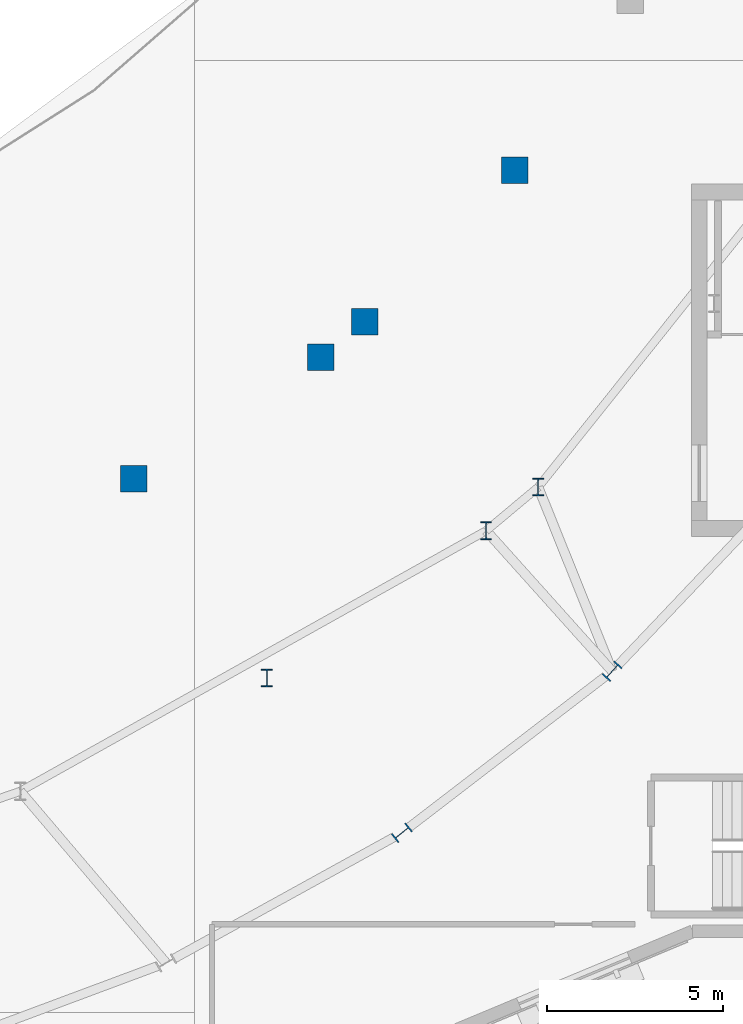
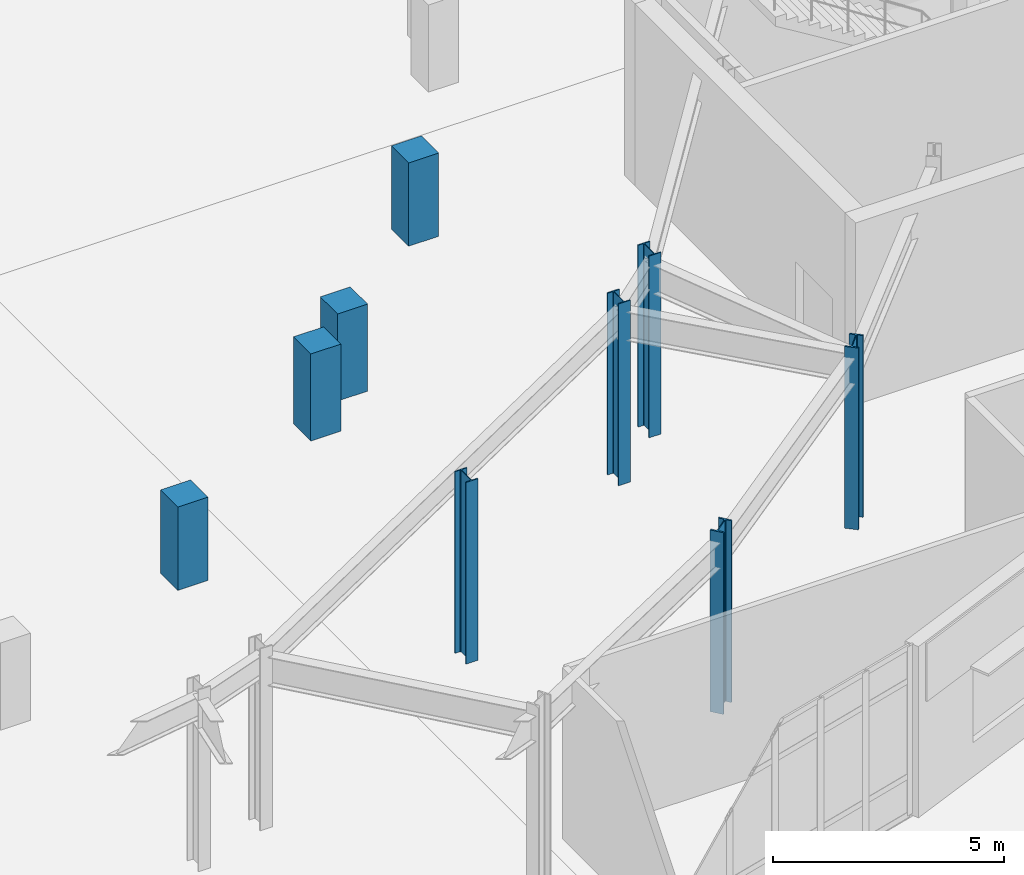
# One storey, part 7 of 84: 9 columns.
"""IFC4 building model written with IfcOpenShell, lengths in metres."""

from ifc_helpers import new_model, si_unit, direction, frame, origin, origin_2d, place, context, subcontext, project, spatial, rectangle, i_section, extrude, material, material_profile, profile_set, type_object, element, save


model = new_model("IFC4")

# Units and contexts
model_context = context("Model", 3, precision=1e-05, world=origin(), true_north=direction((0.0, 1.0)))
body_context = subcontext(model_context, "Body", "Model", "MODEL_VIEW")
ifc_project = project(units=[si_unit("LENGTHUNIT", "METRE"), si_unit("AREAUNIT", "SQUARE_METRE"), si_unit("VOLUMEUNIT", "CUBIC_METRE"), si_unit("PLANEANGLEUNIT", "RADIAN"), si_unit("MASSUNIT", "GRAM", prefix="KILO")], contexts=[model_context])

# Site, building, storey
site_placement = place(None, origin())
site = spatial("IfcSite", under=ifc_project, at=site_placement, CompositionType="ELEMENT")
building_placement = place(site_placement, origin())
building = spatial("IfcBuilding", under=site, at=building_placement, Name="Glasvene Arena", CompositionType="ELEMENT")
storey_placement = place(building_placement, frame((0.0, 0.0, 10.199951171875)))
storey = spatial("IfcBuildingStorey", under=building, at=storey_placement, Name="L02", CompositionType="ELEMENT", Elevation=10.199951171875)

# Columns
ifc_material_1 = material(Name="Concrete C40/50", Category="concrete")
ifc_material_profile_1 = material_profile(ifc_material_1, rectangle(XDim=0.75, YDim=0.75, at=origin_2d()), Name="RC 750x750")
ifc_profile_set_1 = profile_set([ifc_material_profile_1], Name="Concrete C40/50")
column_type_1 = type_object("IfcColumnType", Name="COL-MID-RC750", PredefinedType="COLUMN", material=ifc_profile_set_1)
for number, where, z_axis, x_axis, name in (
    (1, (119.08251953125, 50.081787109375, 0.0), (0.0, 0.0, 1.0), (1.0, 0.0, 0.0), "Mid-bowl fulcrum column L02 14-2"),
    (2, (120.34033203125, 51.09912109375, 0.0), (0.0, 0.0, 1.0), (1.0, 0.0, 0.0), "Mid-bowl fulcrum column L02 15-1"),
):
    element("IfcColumn", number, at=place(storey_placement, frame(where, z_axis=z_axis, x_axis=x_axis)), inside=storey, type_object=column_type_1, Name=name, PredefinedType="COLUMN", context=body_context, shape_type="SweptSolid", body=[
        extrude(rectangle(XDim=0.75, YDim=0.75, at=origin_2d()), origin(), (0.0, 0.0, 1.0), 2.300048828125),
    ])
for number, where, z_axis, x_axis, name in (
    (3, (113.7783203125, 46.642333984375, 0.0), (0.0, 0.0, 1.0), (1.0, 0.0, 0.0), "Mid-sector fulcrum column L02 14"),
    (4, (124.593505859375, 55.388427734375, 0.0), (0.0, 0.0, 1.0), (1.0, 0.0, 0.0), "Mid-sector fulcrum column L02 15"),
):
    element("IfcColumn", number, at=place(storey_placement, frame(where, z_axis=z_axis, x_axis=x_axis)), inside=storey, type_object=column_type_1, Name=name, PredefinedType="COLUMN", context=body_context, shape_type="SweptSolid", body=[
        extrude(rectangle(XDim=0.75, YDim=0.75, at=origin_2d()), origin(), (0.0, 0.0, 1.0), 2.199951171875),
    ])
ifc_material_2 = material(Name="Steel S355J2", Category="steel")
ifc_material_profile_2 = material_profile(ifc_material_2, i_section(OverallWidth=0.305908203125, OverallDepth=0.52392578125, WebThickness=0.02099609375, FlangeThickness=0.0400390625, FilletRadius=0.027099609375, at=origin_2d()), Name="HEM 500")
ifc_profile_set_2 = profile_set([ifc_material_profile_2], Name="Steel S355J2")
column_type_2 = type_object("IfcColumnType", Name="COL-RING-HEM500", PredefinedType="COLUMN", material=ifc_profile_set_2)
for number, where, z_axis, x_axis, name in (
    (5, (121.389404296875, 36.59423828125, 0.0), (0.0, 0.0, 1.0), (0.628098877137, -0.778133536444, 0.0), "Bowl ring column R35 L02"),
    (6, (127.355224609375, 41.18017578125, 0.0), (0.0, 0.0, 1.0), (0.74326159948, -0.669000892928, 0.0), "Bowl ring column R36 L02"),
):
    element("IfcColumn", number, at=place(storey_placement, frame(where, z_axis=z_axis, x_axis=x_axis)), inside=storey, type_object=column_type_2, Name=name, PredefinedType="COLUMN", context=body_context, shape_type="SweptSolid", body=[
        extrude(i_section(OverallWidth=0.305908203125, OverallDepth=0.52392578125, WebThickness=0.02099609375, FlangeThickness=0.0400390625, FilletRadius=0.027099609375, at=origin_2d()), origin(), (0.0, 0.0, 1.0), 4.800048828125),
    ])
ifc_material_profile_3 = material_profile(ifc_material_2, i_section(OverallWidth=0.300048828125, OverallDepth=0.5, WebThickness=0.014404296875, FlangeThickness=0.028076171875, FilletRadius=0.027099609375, at=origin_2d()), Name="HEB 500")
ifc_profile_set_3 = profile_set([ifc_material_profile_3], Name="Steel S355J2")
column_type_3 = type_object("IfcColumnType", Name="COL-W-HEB500", PredefinedType="COLUMN", material=ifc_profile_set_3)
for number, where, z_axis, x_axis, name in (
    (7, (123.780517578125, 45.165771484375, 0.0), (0.0, 0.0, 1.0), (1.0, 0.0, 0.0), "Upper raker rear column L02 14-2"),
    (8, (125.256591796875, 46.40087890625, 0.0), (0.0, 0.0, 1.0), (1.0, 0.0, 0.0), "Upper raker rear column L02 15-1"),
    (9, (117.55615234375, 40.98828125, 0.0), (0.0, 0.0, 1.0), (1.0, 0.0, 0.0), "Mid-sector rear raker column L02 14"),
):
    element("IfcColumn", number, at=place(storey_placement, frame(where, z_axis=z_axis, x_axis=x_axis)), inside=storey, type_object=column_type_3, Name=name, PredefinedType="COLUMN", context=body_context, shape_type="SweptSolid", body=[
        extrude(i_section(OverallWidth=0.300048828125, OverallDepth=0.5, WebThickness=0.014404296875, FlangeThickness=0.028076171875, FilletRadius=0.027099609375, at=origin_2d()), origin(), (0.0, 0.0, 1.0), 4.800048828125),
    ])

save(model, "model.ifc")
